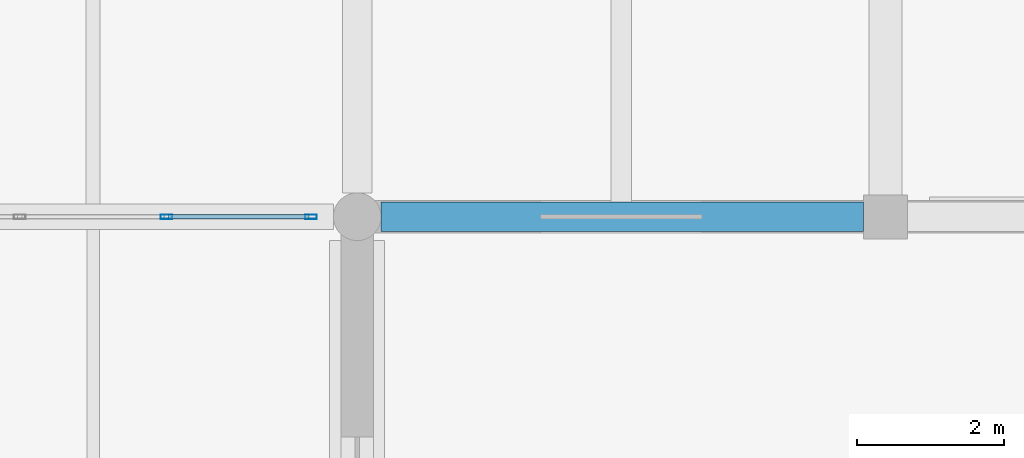
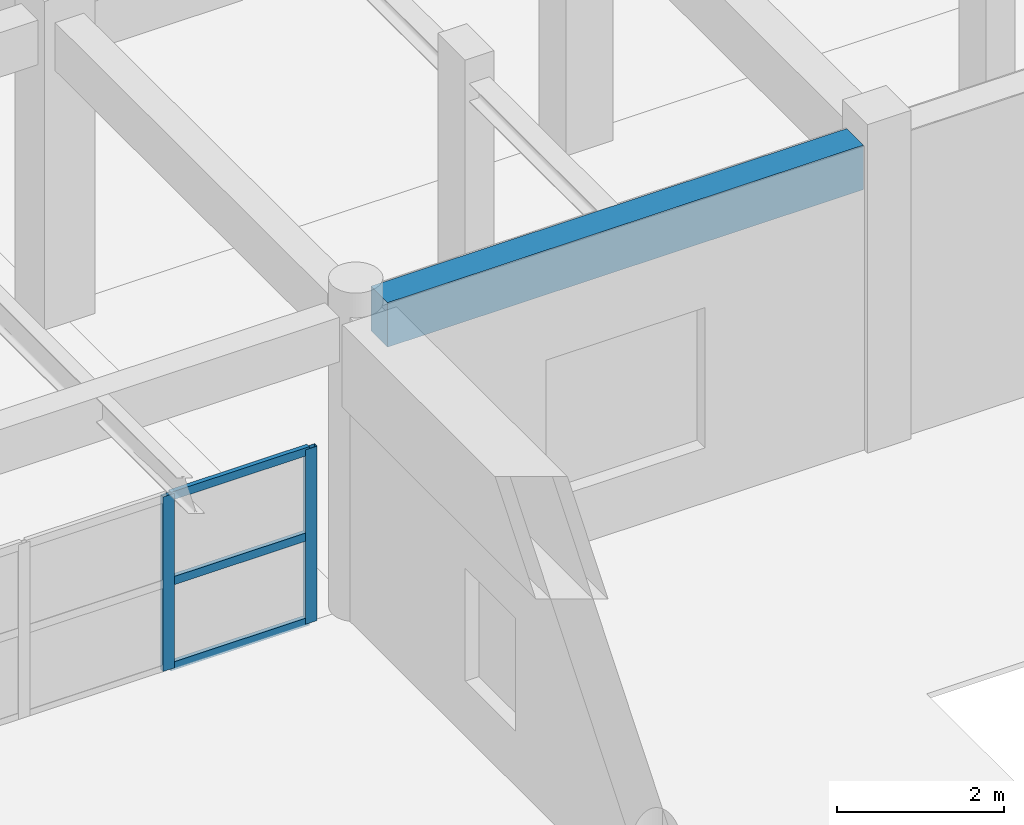
# One storey, part 9 of 72: 5 members, 1 beam, 1 element without a shape of its own.
"""IFC4 building model written with IfcOpenShell, lengths in metres."""

from ifc_helpers import new_model, si_unit, direction, frame, origin, origin_2d, place, context, subcontext, project, spatial, rectangle, hollow_rectangle, extrude, material, material_profile, profile_set, type_object, element, aggregate, save


model = new_model("IFC4")

# Units and contexts
model_context = context("Model", 3, precision=1e-05, world=origin(), true_north=direction((0.0, 1.0)))
body_context = subcontext(model_context, "Body", "Model", "MODEL_VIEW")
ifc_project = project(units=[si_unit("LENGTHUNIT", "METRE"), si_unit("AREAUNIT", "SQUARE_METRE"), si_unit("VOLUMEUNIT", "CUBIC_METRE"), si_unit("PLANEANGLEUNIT", "RADIAN"), si_unit("MASSUNIT", "GRAM", prefix="KILO")], contexts=[model_context])

# Site, building, storey
site_placement = place(None, origin())
site = spatial("IfcSite", under=ifc_project, at=site_placement, CompositionType="ELEMENT")
building_placement = place(site_placement, origin())
building = spatial("IfcBuilding", under=site, at=building_placement, Name="Korsvaeld Concert Hall", CompositionType="ELEMENT")
storey_placement = place(building_placement, origin())
storey = spatial("IfcBuildingStorey", under=building, at=storey_placement, Name="L00", CompositionType="ELEMENT", Elevation=0.0)

# Beam
ifc_material_1 = material(Name="Concrete C35/45", Category="concrete")
ifc_material_profile_1 = material_profile(ifc_material_1, rectangle(XDim=0.39990234375, YDim=0.64990234375, at=origin_2d()), Name="RC 400x650")
ifc_profile_set_1 = profile_set([ifc_material_profile_1], Name="Concrete C35/45")
beam_type = type_object("IfcBeamType", Name="BM-RC-400x650", PredefinedType="T_BEAM", material=ifc_profile_set_1)
beam_placement = place(storey_placement, frame((36.324951171875, 36.0, 4.114990234375), z_axis=(1.0, 0.0, 0.0), x_axis=(0.0, 1.0, 0.0)))
element("IfcBeam", 1, at=beam_placement, inside=storey, type_object=beam_type, Name="Primary girder 6-7/F L00", PredefinedType="T_BEAM", context=body_context, shape_type="SweptSolid", body=[
    extrude(rectangle(XDim=0.39990234375, YDim=0.64990234375, at=origin_2d()), origin(), (0.0, 0.0, 1.0), 6.574951171875),
])

# Curtain wall, members
ifc_material_2 = material(Name="Anodised bronze and ceramic-fritted safety glass", Category="glass")
curtain_wall_type = type_object("IfcCurtainWallType", Name="CW-TYPE-12", PredefinedType="USERDEFINED", material=ifc_material_2)
curtain_wall_placement = place(storey_placement, origin())
curtain_wall = element("IfcCurtainWall", 2, at=curtain_wall_placement, inside=storey, type_object=curtain_wall_type, Name="Glazed foyer acoustic screen L00-44", ObjectType="CURTAIN WALL", PredefinedType="USERDEFINED")
ifc_material_3 = material(Name="Anodised architectural bronze aluminium", Category="aluminium")
ifc_material_profile_2 = material_profile(ifc_material_3, hollow_rectangle(XDim=0.06005859375, YDim=0.159912109375, WallThickness=0.00390625, at=origin_2d()), Name="CWM 160x60x4")
ifc_profile_set_2 = profile_set([ifc_material_profile_2], Name="Anodised architectural bronze aluminium")
member_type_1 = type_object("IfcMemberType", Name="CWM-ALUM-160x60", PredefinedType="MULLION", material=ifc_profile_set_2)
member_1_placement = place(storey_placement, frame((33.39990234375, 36.0, 0.0), z_axis=(0.0, 0.0, 1.0), x_axis=(0.0, 1.0, 0.0)))
member_1 = element("IfcMember", 3, at=member_1_placement, type_object=member_type_1, Name="CW-12 mullion 3", PredefinedType="MULLION", context=body_context, shape_type="SweptSolid", body=[
    extrude(hollow_rectangle(XDim=0.06005859375, YDim=0.159912109375, WallThickness=0.00390625, at=origin_2d()), origin(), (0.0, 0.0, 1.0), 2.550048828125),
])
member_2_placement = place(storey_placement, frame((35.3701171875, 36.0, 0.0), z_axis=(0.0, 0.0, 1.0), x_axis=(0.0, 1.0, 0.0)))
member_2 = element("IfcMember", 4, at=member_2_placement, type_object=member_type_1, Name="CW-12 mullion 4", PredefinedType="MULLION", context=body_context, shape_type="SweptSolid", body=[
    extrude(hollow_rectangle(XDim=0.06005859375, YDim=0.159912109375, WallThickness=0.00390625, at=origin_2d()), origin(), (0.0, 0.0, 1.0), 2.550048828125),
])
ifc_material_profile_3 = material_profile(ifc_material_3, hollow_rectangle(XDim=0.06005859375, YDim=0.1201171875, WallThickness=0.00390625, at=origin_2d()), Name="CWT 120x60x4")
ifc_profile_set_3 = profile_set([ifc_material_profile_3], Name="Anodised architectural bronze aluminium")
member_type_2 = type_object("IfcMemberType", Name="CWT-ALUM-120x60", PredefinedType="USERDEFINED", material=ifc_profile_set_3)
member_3_placement = place(storey_placement, frame((33.429931640625, 36.0, 0.030029296875), z_axis=(1.0, 0.0, 0.0), x_axis=(0.0, 1.0, 0.0)))
member_3 = element("IfcMember", 5, at=member_3_placement, type_object=member_type_2, Name="CW-12 transom 3.1", ObjectType="TRANSOM", PredefinedType="USERDEFINED", context=body_context, shape_type="SweptSolid", body=[
    extrude(hollow_rectangle(XDim=0.06005859375, YDim=0.1201171875, WallThickness=0.00390625, at=origin_2d()), origin(), (0.0, 0.0, 1.0), 1.91015625),
])
member_4_placement = place(storey_placement, frame((33.429931640625, 36.0, 1.27490234375), z_axis=(1.0, 0.0, 0.0), x_axis=(0.0, 1.0, 0.0)))
member_4 = element("IfcMember", 6, at=member_4_placement, type_object=member_type_2, Name="CW-12 transom 3.2", ObjectType="TRANSOM", PredefinedType="USERDEFINED", context=body_context, shape_type="SweptSolid", body=[
    extrude(hollow_rectangle(XDim=0.06005859375, YDim=0.1201171875, WallThickness=0.00390625, at=origin_2d()), origin(), (0.0, 0.0, 1.0), 1.91015625),
])
member_5_placement = place(storey_placement, frame((33.429931640625, 36.0, 2.52001953125), z_axis=(1.0, 0.0, 0.0), x_axis=(0.0, 1.0, 0.0)))
member_5 = element("IfcMember", 7, at=member_5_placement, type_object=member_type_2, Name="CW-12 transom 3.3", ObjectType="TRANSOM", PredefinedType="USERDEFINED", context=body_context, shape_type="SweptSolid", body=[
    extrude(hollow_rectangle(XDim=0.06005859375, YDim=0.1201171875, WallThickness=0.00390625, at=origin_2d()), origin(), (0.0, 0.0, 1.0), 1.91015625),
])
aggregate(curtain_wall, [member_1, member_2, member_3, member_4, member_5])

save(model, "model.ifc")
